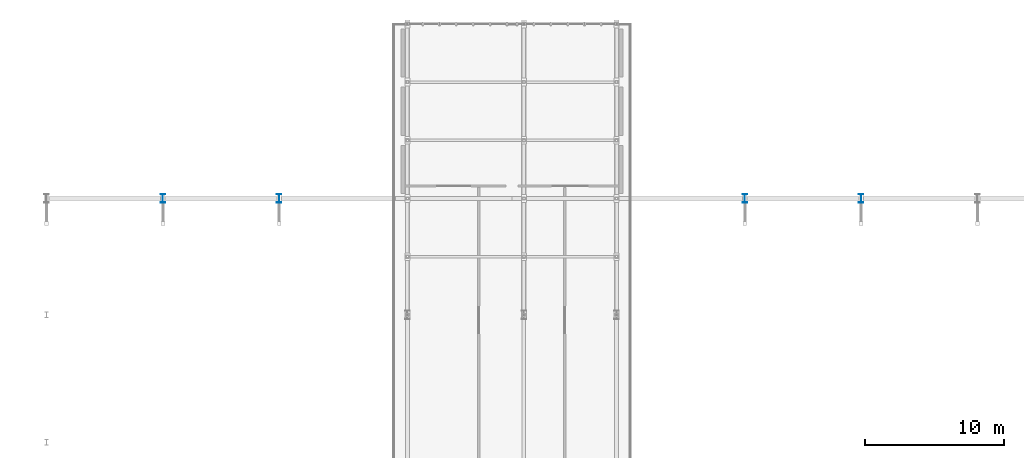
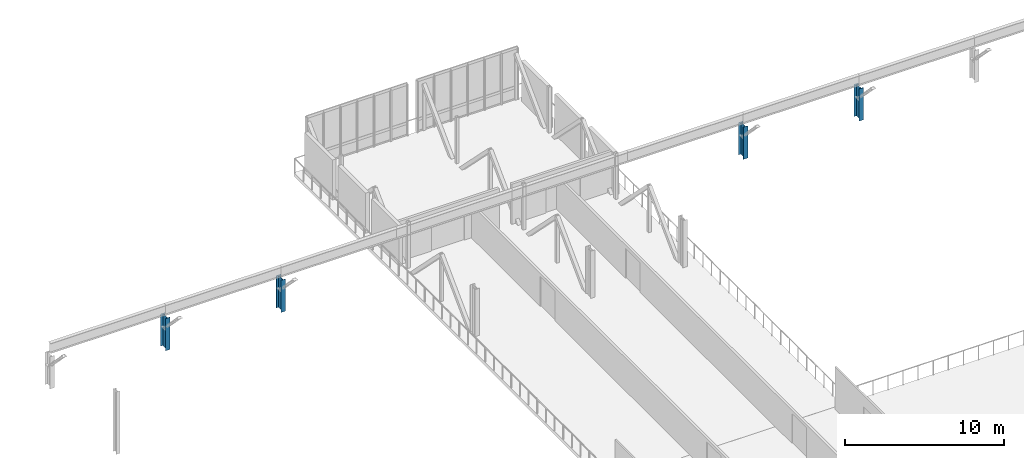
# One storey, part 9 of 107: 4 columns.
"""IFC4 building model written with IfcOpenShell, lengths in metres."""

from ifc_helpers import new_model, si_unit, derived_unit, direction, frame, origin, origin_2d, place, context, subcontext, project, spatial, i_section, extrude, material, material_profile, profile_set, type_object, element, save


model = new_model("IFC4")

# Units and contexts
model_context = context("Model", 3, precision=1e-05, world=origin(), true_north=direction((0.0, 1.0)))
body_context = subcontext(model_context, "Body", "Model", "MODEL_VIEW")
ifc_project = project(units=[si_unit("LENGTHUNIT", "METRE"), si_unit("AREAUNIT", "SQUARE_METRE"), si_unit("VOLUMEUNIT", "CUBIC_METRE"), si_unit("PLANEANGLEUNIT", "RADIAN"), si_unit("MASSUNIT", "GRAM", prefix="KILO"), derived_unit("THERMALTRANSMITTANCEUNIT", [(si_unit("MASSUNIT", "GRAM", prefix="KILO"), 1), (si_unit("TIMEUNIT", "SECOND"), -3), (si_unit("THERMODYNAMICTEMPERATUREUNIT", "KELVIN"), -1)])], contexts=[model_context])

# Site, building, storey
site_placement = place(None, origin())
site = spatial("IfcSite", under=ifc_project, at=site_placement, CompositionType="ELEMENT")
building_placement = place(site_placement, origin())
building = spatial("IfcBuilding", under=site, at=building_placement, Name="Makaiwela Harbour Ferry Terminal", CompositionType="ELEMENT")
storey_placement = place(building_placement, frame((0.0, 0.0, 9.60009765625)))
storey = spatial("IfcBuildingStorey", under=building, at=storey_placement, Name="L02", CompositionType="ELEMENT", Elevation=9.60009765625)

# Columns
ifc_material = material(Name="Steel ASTM A992 Grade 50", Category="steel")
ifc_material_profile = material_profile(ifc_material, i_section(OverallWidth=0.324951171875, OverallDepth=0.615966796875, WebThickness=0.013916015625, FlangeThickness=0.021484375, at=origin_2d()), Name="W24X117")
ifc_profile_set = profile_set([ifc_material_profile], Name="Steel ASTM A992 Grade 50")
column_type = type_object("IfcColumnType", Name="STR-COL-W24X117", PredefinedType="COLUMN", material=ifc_profile_set)
for number, where, z_axis, x_axis, name in (
    (1, (71.39990234375, 103.39990234375, 0.0), (0.0, 0.0, 1.0), (1.0, 0.0, 0.0), "Structural Column C-02"),
    (2, (79.800048828125, 103.39990234375, 0.0), (0.0, 0.0, 1.0), (1.0, 0.0, 0.0), "Structural Column C-02"),
    (3, (113.39990234375, 103.39990234375, 0.0), (0.0, 0.0, 1.0), (1.0, 0.0, 0.0), "Structural Column C-02"),
    (4, (121.800048828125, 103.39990234375, 0.0), (0.0, 0.0, 1.0), (1.0, 0.0, 0.0), "Structural Column C-02"),
):
    element("IfcColumn", number, at=place(storey_placement, frame(where, z_axis=z_axis, x_axis=x_axis)), inside=storey, type_object=column_type, Name=name, PredefinedType="COLUMN", context=body_context, shape_type="SweptSolid", body=[
        extrude(i_section(OverallWidth=0.324951171875, OverallDepth=0.615966796875, WebThickness=0.013916015625, FlangeThickness=0.021484375, at=origin_2d()), origin(), (0.0, 0.0, 1.0), 2.472900390625),
    ])

save(model, "model.ifc")
